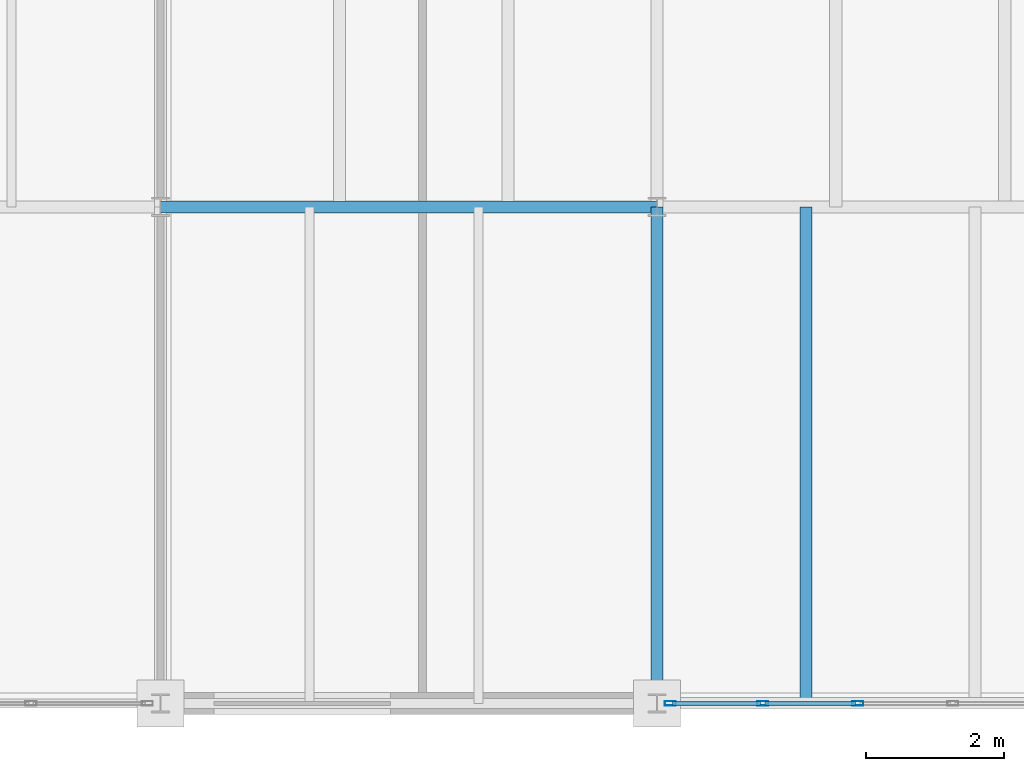
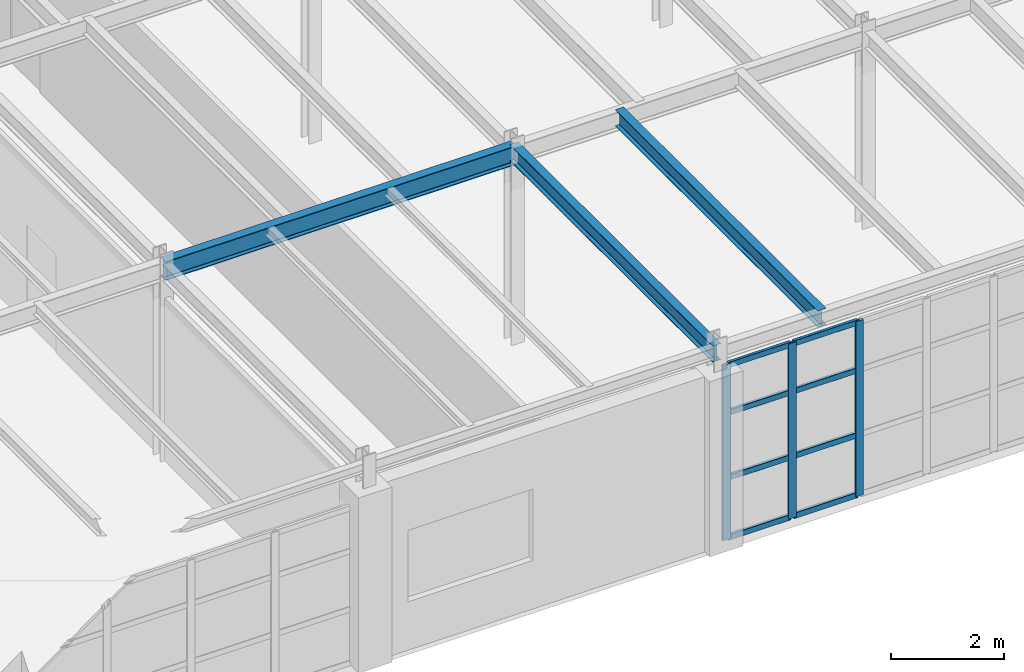
# One storey, part 16 of 101: 11 members, 3 beams, 1 element without a shape of its own.
"""IFC4 building model written with IfcOpenShell, lengths in metres."""

import ifcopenshell
import ifcopenshell.guid

model = None  # the IFC model being written
_history = None  # IfcOwnerHistory: only IFC2X3 demands one
_inside = {}  # id of a spatial element -> (the spatial element, [elements in it])
_under = {}  # id of a project, library or spatial element -> (it, [spatial elements below it])
_declared = {}  # id of a project -> (the project, [libraries it declares])
_typed = {}  # id of a type object -> (the type object, [elements of that type])
_made_of = {}  # id of a material, layer set ... -> (it, [elements and type objects made of it])


def new_model(schema):
    """Start an empty IFC model of exactly this schema.

    Asked for "IFC4X3", IfcOpenShell would pick the latest addendum, in which some entities
    have other attributes; the version numbers below select the first issue.
    IFC2X3 requires an IfcOwnerHistory on every rooted entity: one is made here for all.
    """
    global model, _history
    if schema == "IFC4X3":
        model = ifcopenshell.file(schema_version=(4, 3, 0, 0))
    else:
        model = ifcopenshell.file(schema=schema)
    _inside.clear()
    _under.clear()
    _declared.clear()
    _typed.clear()
    _made_of.clear()
    _history = None
    if model.schema == "IFC2X3":
        org = make("IfcOrganization", Name="unknown")
        user = make(
            "IfcPersonAndOrganization",
            ThePerson=make("IfcPerson", FamilyName="unknown"),
            TheOrganization=org,
        )
        app = make(
            "IfcApplication",
            ApplicationDeveloper=org,
            Version="unknown",
            ApplicationFullName="unknown",
            ApplicationIdentifier="unknown",
        )
        _history = make(
            "IfcOwnerHistory",
            OwningUser=user,
            OwningApplication=app,
            ChangeAction="ADDED",
            CreationDate=0,
        )
    return model


def make(cls, **values):
    """One entity of the class cls with the attributes given. An attribute that is None is left unset."""
    return model.create_entity(
        cls, **{name: value for name, value in values.items() if value is not None}
    )


def rooted(cls, **values):
    """An entity with a GlobalId (a new one), such as an element, a storey or a relation."""
    return make(cls, GlobalId=ifcopenshell.guid.new(), OwnerHistory=_history, **values)


def si_unit(unit_type, name, prefix=None):
    """IfcSIUnit, for example si_unit("LENGTHUNIT", "METRE", prefix="MILLI")."""
    return make("IfcSIUnit", UnitType=unit_type, Prefix=prefix, Name=name)


def assignment(units):
    """IfcUnitAssignment: the units of a project."""
    return None if units is None else make("IfcUnitAssignment", Units=units)


def point(xyz):
    """IfcCartesianPoint."""
    return None if xyz is None else make("IfcCartesianPoint", Coordinates=xyz)


def direction(xyz):
    """IfcDirection."""
    return None if xyz is None else make("IfcDirection", DirectionRatios=xyz)


def frame(location, z_axis=None, x_axis=None):
    """IfcAxis2Placement3D, a coordinate frame: its origin and axes. An axis left out is left unset."""
    return make(
        "IfcAxis2Placement3D",
        Location=point(location),
        Axis=direction(z_axis),
        RefDirection=direction(x_axis),
    )


def frame_2d(location, x_axis=None):
    """IfcAxis2Placement2D, a coordinate frame in the plane: its origin and x axis."""
    return make(
        "IfcAxis2Placement2D", Location=point(location), RefDirection=direction(x_axis)
    )


def origin():
    """The frame at (0, 0, 0) with its axes left unset."""
    return frame((0.0, 0.0, 0.0))


def origin_2d():
    """The frame at (0, 0) in the plane with its x axis left unset."""
    return frame_2d((0.0, 0.0))


def place(relative_to, where):
    """IfcLocalPlacement: puts the frame where relative to a parent placement (None: the world)."""
    return make(
        "IfcLocalPlacement", PlacementRelTo=relative_to, RelativePlacement=where
    )


def context(
    kind, dimensions, precision=None, world=None, true_north=None, identifier=None
):
    """IfcGeometricRepresentationContext, for example the 3D "Model" context."""
    return make(
        "IfcGeometricRepresentationContext",
        ContextIdentifier=identifier,
        ContextType=kind,
        CoordinateSpaceDimension=dimensions,
        Precision=precision,
        WorldCoordinateSystem=world,
        TrueNorth=true_north,
    )


def subcontext(parent, identifier, kind, view, scale=None):
    """IfcGeometricRepresentationSubContext, for example "Body" below "Model"."""
    return make(
        "IfcGeometricRepresentationSubContext",
        ContextIdentifier=identifier,
        ContextType=kind,
        ParentContext=parent,
        TargetScale=scale,
        TargetView=view,
    )


def project(units=None, contexts=None):
    """IfcProject with its units and contexts."""
    return rooted(
        "IfcProject",
        Name="project",
        RepresentationContexts=contexts,
        UnitsInContext=assignment(units),
    )


def spatial(cls, under=None, at=None, **own):
    """A site, building, storey or space (cls), placed at a placement, below another one or the project."""
    s = rooted(cls, ObjectPlacement=at, **own)
    if under is not None:
        _under.setdefault(under.id(), (under, []))[1].append(s)
    return s


def profile(cls, at=None, kind="AREA", **sizes):
    """A parametric profile (cls). Its sizes go by their IFC names, for example OverallWidth=200.0."""
    return make(cls, ProfileType=kind, Position=at, **sizes)


def hollow_rectangle(**sizes):
    """IfcRectangleHollowProfileDef."""
    return profile("IfcRectangleHollowProfileDef", **sizes)


def i_section(**sizes):
    """IfcIShapeProfileDef."""
    return profile("IfcIShapeProfileDef", **sizes)


def extrude(swept, where, along, depth):
    """IfcExtrudedAreaSolid: the profile swept, set in the frame where, extruded along a direction by depth."""
    return make(
        "IfcExtrudedAreaSolid",
        SweptArea=swept,
        Position=where,
        ExtrudedDirection=direction(along),
        Depth=depth,
    )


def shape(context_of_items, identifier, shape_type, items):
    """IfcShapeRepresentation: the items that make up one representation, for example the "Body"."""
    return make(
        "IfcShapeRepresentation",
        ContextOfItems=context_of_items,
        RepresentationIdentifier=identifier,
        RepresentationType=shape_type,
        Items=items,
    )


def material(Name=None, Category=None):
    """IfcMaterial."""
    return make("IfcMaterial", Name=Name, Category=Category)


def layer(
    of_material, thickness, ventilated=None, Name=None, Category=None, Priority=None
):
    """IfcMaterialLayer: one layer of a wall or slab, of a material (None: an air gap)."""
    return make(
        "IfcMaterialLayer",
        Material=of_material,
        LayerThickness=thickness,
        IsVentilated=ventilated,
        Name=Name,
        Category=Category,
        Priority=Priority,
    )


def layer_set(layers, Name=None):
    """IfcMaterialLayerSet."""
    return make("IfcMaterialLayerSet", MaterialLayers=layers, LayerSetName=Name)


def material_profile(
    of_material, cross_section, Name=None, Category=None, Priority=None
):
    """IfcMaterialProfile: a cross section and its material."""
    return make(
        "IfcMaterialProfile",
        Name=Name,
        Material=of_material,
        Profile=cross_section,
        Priority=Priority,
        Category=Category,
    )


def profile_set(profiles, Name=None, composite=None):
    """IfcMaterialProfileSet."""
    return make(
        "IfcMaterialProfileSet",
        Name=Name,
        MaterialProfiles=profiles,
        CompositeProfile=composite,
    )


def made_of(thing, what):
    """Note that an element or type object is made of a material, layer set ...; save() writes the relation."""
    if what is not None:
        _made_of.setdefault(what.id(), (what, []))[1].append(thing)
    return thing


def type_object(cls, material=None, **own):
    """A type object (cls), such as IfcWallType, which elements share."""
    return made_of(rooted(cls, **own), material)


def element(
    cls,
    number,
    at=None,
    inside=None,
    cuts=None,
    type_object=None,
    material=None,
    context=None,
    identifier="Body",
    shape_type=None,
    held_by="IfcProductDefinitionShape",
    body=None,
    shapes=None,
    **own,
):
    """One element of the class cls, such as IfcWall. Its Tag is "e" and its number.

    at: its placement. inside: the storey or other place that contains it. cuts: it is an
    opening in that element (IfcRelVoidsElement). A single representation is given by context,
    identifier, shape_type and body (its items); several are given by shapes. held_by: the class
    of the entity that holds the representations. save() writes the other relations.
    """
    e = rooted(cls, Tag="e%d" % number, ObjectPlacement=at, **own)
    if body is not None:
        shapes = [shape(context, identifier, shape_type, body)]
    if shapes is not None:
        e.Representation = make(held_by, Representations=shapes)
    if inside is not None:
        _inside.setdefault(inside.id(), (inside, []))[1].append(e)
    if cuts is not None:
        rooted(
            "IfcRelVoidsElement", RelatingBuildingElement=cuts, RelatedOpeningElement=e
        )
    if type_object is not None:
        _typed.setdefault(type_object.id(), (type_object, []))[1].append(e)
    return made_of(e, material)


def aggregate(whole, parts):
    """IfcRelAggregates: a whole, such as a stair, and the parts it consists of."""
    return rooted("IfcRelAggregates", RelatingObject=whole, RelatedObjects=parts)


def save(model, path):
    """Write the relations noted so far, then the file.

    IfcRelAggregates (storeys below a building ...), IfcRelContainedInSpatialStructure (elements
    in a storey), IfcRelDefinesByType, IfcRelAssociatesMaterial and IfcRelDeclares: one each for
    every whole, place, type object, material and project.
    """
    for whole, parts in _under.values():
        aggregate(whole, parts)
    for where, things in _inside.values():
        rooted(
            "IfcRelContainedInSpatialStructure",
            RelatedElements=things,
            RelatingStructure=where,
        )
    for kind, things in _typed.values():
        rooted("IfcRelDefinesByType", RelatedObjects=things, RelatingType=kind)
    for what, things in _made_of.values():
        rooted("IfcRelAssociatesMaterial", RelatedObjects=things, RelatingMaterial=what)
    for by, libraries in _declared.values():
        rooted("IfcRelDeclares", RelatingContext=by, RelatedDefinitions=libraries)
    model.write(path)


model = new_model("IFC4")

# Units and contexts
model_context = context("Model", 3, precision=1e-05, world=origin(), true_north=direction((0.0, 1.0)))
body_context = subcontext(model_context, "Body", "Model", "MODEL_VIEW")
ifc_project = project(units=[si_unit("LENGTHUNIT", "METRE"), si_unit("AREAUNIT", "SQUARE_METRE"), si_unit("VOLUMEUNIT", "CUBIC_METRE"), si_unit("PLANEANGLEUNIT", "RADIAN"), si_unit("MASSUNIT", "GRAM", prefix="KILO")], contexts=[model_context])

# Site, building, storey
site_placement = place(None, origin())
site = spatial("IfcSite", under=ifc_project, at=site_placement, CompositionType="ELEMENT")
building_placement = place(site_placement, origin())
building = spatial("IfcBuilding", under=site, at=building_placement, Name="Kemerveld Promenade Tramway Depot", CompositionType="ELEMENT")
storey_placement = place(building_placement, frame((0.0, 0.0, 9.89990234375)))
storey = spatial("IfcBuildingStorey", under=building, at=storey_placement, Name="L02", CompositionType="ELEMENT", Elevation=9.89990234375)

# Beams
ifc_material_1 = material(Name="Steel S355", Category="steel")
ifc_material_profile_1 = material_profile(ifc_material_1, i_section(OverallWidth=0.1787109375, OverallDepth=0.409423828125, WebThickness=0.0087890625, FlangeThickness=0.014404296875, FilletRadius=0.01025390625, at=origin_2d()), Name="406x178x67 UB")
ifc_profile_set_1 = profile_set([ifc_material_profile_1], Name="Steel S355")
beam_type_1 = type_object("IfcBeamType", Name="BM-G07", PredefinedType="BEAM", material=ifc_profile_set_1)
beam_1_placement = place(storey_placement, frame((14.39990234375, 7.199951171875, 4.080322265625), z_axis=(1.0, 0.0, 0.0), x_axis=(0.0, 1.0, 0.0)))
element("IfcBeam", 1, at=beam_1_placement, inside=storey, type_object=beam_type_1, Name="BMX-L02-03-04-B", PredefinedType="BEAM", context=body_context, shape_type="SweptSolid", body=[
    extrude(i_section(OverallWidth=0.1787109375, OverallDepth=0.409423828125, WebThickness=0.0087890625, FlangeThickness=0.014404296875, FilletRadius=0.01025390625, at=origin_2d()), origin(), (0.0, 0.0, 1.0), 7.2001953125),
])
ifc_material_profile_2 = material_profile(ifc_material_1, i_section(OverallWidth=0.172119140625, OverallDepth=0.35791015625, WebThickness=0.008056640625, FlangeThickness=0.012939453125, FilletRadius=0.01025390625, at=origin_2d()), Name="356x171x57 UB")
ifc_profile_set_2 = profile_set([ifc_material_profile_2], Name="Steel S355")
beam_type_2 = type_object("IfcBeamType", Name="BM-G08", PredefinedType="BEAM", material=ifc_profile_set_2)
beam_2_placement = place(storey_placement, frame((21.60009765625, 0.0, 4.106201171875), z_axis=(0.0, 1.0, 0.0), x_axis=(-1.0, 0.0, 0.0)))
element("IfcBeam", 2, at=beam_2_placement, inside=storey, type_object=beam_type_2, Name="BMY-L02-04-A-B", PredefinedType="BEAM", context=body_context, shape_type="SweptSolid", body=[
    extrude(i_section(OverallWidth=0.172119140625, OverallDepth=0.35791015625, WebThickness=0.008056640625, FlangeThickness=0.012939453125, FilletRadius=0.01025390625, at=origin_2d()), origin(), (0.0, 0.0, 1.0), 7.199951171875),
])
ifc_material_profile_3 = material_profile(ifc_material_1, i_section(OverallWidth=0.172119140625, OverallDepth=0.35791015625, WebThickness=0.008056640625, FlangeThickness=0.012939453125, FilletRadius=0.01025390625, at=origin_2d()), Name="356x171x57 UB")
ifc_profile_set_3 = profile_set([ifc_material_profile_3], Name="Steel S355")
beam_type_3 = type_object("IfcBeamType", Name="BM-J04", PredefinedType="JOIST", material=ifc_profile_set_3)
beam_3_placement = place(storey_placement, frame((23.760009765625, 0.0, 4.106201171875), z_axis=(0.0, 1.0, 0.0), x_axis=(-1.0, 0.0, 0.0)))
element("IfcBeam", 3, at=beam_3_placement, inside=storey, type_object=beam_type_3, Name="JST-L02-04-A-1", PredefinedType="JOIST", context=body_context, shape_type="SweptSolid", body=[
    extrude(i_section(OverallWidth=0.172119140625, OverallDepth=0.35791015625, WebThickness=0.008056640625, FlangeThickness=0.012939453125, FilletRadius=0.01025390625, at=origin_2d()), origin(), (0.0, 0.0, 1.0), 7.199951171875),
])

# Curtain wall, members
ifc_material_2 = material(Name="Bronze anodised aluminium and solar glass", Category="aluminium")
ifc_layer = layer(ifc_material_2, 0.159912109375)
ifc_layer_set = layer_set([ifc_layer], Name="CW-SYS-07")
curtain_wall_type = type_object("IfcCurtainWallType", Name="CW-SYS-07", PredefinedType="USERDEFINED", material=ifc_layer_set)
curtain_wall_placement = place(storey_placement, origin())
curtain_wall = element("IfcCurtainWall", 4, at=curtain_wall_placement, inside=storey, type_object=curtain_wall_type, Name="CW-L02-V5S-04", ObjectType="GLAZED_CURTAIN_WALL", PredefinedType="USERDEFINED")
ifc_material_3 = material(Name="Bronze anodised aluminium", Category="aluminium")
ifc_material_profile_4 = material_profile(ifc_material_3, hollow_rectangle(XDim=0.06494140625, YDim=0.159912109375, WallThickness=0.00390625, InnerFilletRadius=0.001953125, OuterFilletRadius=0.00390625, at=origin_2d()), Name="CW-MUL-160x65")
ifc_profile_set_4 = profile_set([ifc_material_profile_4], Name="Bronze anodised aluminium")
member_type_1 = type_object("IfcMemberType", Name="CW-MUL-A", PredefinedType="MULLION", material=ifc_profile_set_4)
member_1_placement = place(storey_placement, frame((24.51171875, 0.0, 0.0), z_axis=(0.0, 0.0, 1.0), x_axis=(0.0, -1.0, 0.0)))
member_1 = element("IfcMember", 5, at=member_1_placement, type_object=member_type_1, Name="CW07 mullion 4", PredefinedType="MULLION", context=body_context, shape_type="SweptSolid", body=[
    extrude(hollow_rectangle(XDim=0.06494140625, YDim=0.159912109375, WallThickness=0.00390625, InnerFilletRadius=0.001953125, OuterFilletRadius=0.00390625, at=origin_2d()), origin(), (0.0, 0.0, 1.0), 3.800048828125),
])
member_2_placement = place(storey_placement, frame((23.135009765625, 0.0, 0.0), z_axis=(0.0, 0.0, 1.0), x_axis=(0.0, -1.0, 0.0)))
member_2 = element("IfcMember", 6, at=member_2_placement, type_object=member_type_1, Name="CW07 mullion 5", PredefinedType="MULLION", context=body_context, shape_type="SweptSolid", body=[
    extrude(hollow_rectangle(XDim=0.06494140625, YDim=0.159912109375, WallThickness=0.00390625, InnerFilletRadius=0.001953125, OuterFilletRadius=0.00390625, at=origin_2d()), origin(), (0.0, 0.0, 1.0), 3.800048828125),
])
member_3_placement = place(storey_placement, frame((21.790771484375, 0.0, 0.0), z_axis=(0.0, 0.0, 1.0), x_axis=(0.0, -1.0, 0.0)))
member_3 = element("IfcMember", 7, at=member_3_placement, type_object=member_type_1, Name="CW07 mullion 6", PredefinedType="MULLION", context=body_context, shape_type="SweptSolid", body=[
    extrude(hollow_rectangle(XDim=0.06494140625, YDim=0.159912109375, WallThickness=0.00390625, InnerFilletRadius=0.001953125, OuterFilletRadius=0.00390625, at=origin_2d()), origin(), (0.0, 0.0, 1.0), 3.800048828125),
])
ifc_material_profile_5 = material_profile(ifc_material_3, hollow_rectangle(XDim=0.06005859375, YDim=0.1201171875, WallThickness=0.00390625, InnerFilletRadius=0.001953125, OuterFilletRadius=0.00390625, at=origin_2d()), Name="CW-TRN-120x60")
ifc_profile_set_5 = profile_set([ifc_material_profile_5], Name="Bronze anodised aluminium")
member_type_2 = type_object("IfcMemberType", Name="CW-TRN-A", PredefinedType="USERDEFINED", material=ifc_profile_set_5)
member_4_placement = place(storey_placement, frame((24.479248046875, 0.0, 0.030029296875), z_axis=(-1.0, 0.0, 0.0), x_axis=(0.0, -1.0, 0.0)))
member_4 = element("IfcMember", 8, at=member_4_placement, type_object=member_type_2, Name="CW07 transom 4.1", ObjectType="TRANSOM", PredefinedType="USERDEFINED", context=body_context, shape_type="SweptSolid", body=[
    extrude(hollow_rectangle(XDim=0.06005859375, YDim=0.1201171875, WallThickness=0.00390625, InnerFilletRadius=0.001953125, OuterFilletRadius=0.00390625, at=origin_2d()), origin(), (0.0, 0.0, 1.0), 1.311767578125),
])
member_5_placement = place(storey_placement, frame((24.479248046875, 0.0, 1.330078125), z_axis=(-1.0, 0.0, 0.0), x_axis=(0.0, -1.0, 0.0)))
member_5 = element("IfcMember", 9, at=member_5_placement, type_object=member_type_2, Name="CW07 transom 4.2", ObjectType="TRANSOM", PredefinedType="USERDEFINED", context=body_context, shape_type="SweptSolid", body=[
    extrude(hollow_rectangle(XDim=0.06005859375, YDim=0.1201171875, WallThickness=0.00390625, InnerFilletRadius=0.001953125, OuterFilletRadius=0.00390625, at=origin_2d()), origin(), (0.0, 0.0, 1.0), 1.311767578125),
])
member_6_placement = place(storey_placement, frame((24.479248046875, 0.0, 2.736083984375), z_axis=(-1.0, 0.0, 0.0), x_axis=(0.0, -1.0, 0.0)))
member_6 = element("IfcMember", 10, at=member_6_placement, type_object=member_type_2, Name="CW07 transom 4.3", ObjectType="TRANSOM", PredefinedType="USERDEFINED", context=body_context, shape_type="SweptSolid", body=[
    extrude(hollow_rectangle(XDim=0.06005859375, YDim=0.1201171875, WallThickness=0.00390625, InnerFilletRadius=0.001953125, OuterFilletRadius=0.00390625, at=origin_2d()), origin(), (0.0, 0.0, 1.0), 1.311767578125),
])
member_7_placement = place(storey_placement, frame((24.479248046875, 0.0, 3.77001953125), z_axis=(-1.0, 0.0, 0.0), x_axis=(0.0, -1.0, 0.0)))
member_7 = element("IfcMember", 11, at=member_7_placement, type_object=member_type_2, Name="CW07 transom 4.4", ObjectType="TRANSOM", PredefinedType="USERDEFINED", context=body_context, shape_type="SweptSolid", body=[
    extrude(hollow_rectangle(XDim=0.06005859375, YDim=0.1201171875, WallThickness=0.00390625, InnerFilletRadius=0.001953125, OuterFilletRadius=0.00390625, at=origin_2d()), origin(), (0.0, 0.0, 1.0), 1.311767578125),
])
member_8_placement = place(storey_placement, frame((23.1025390625, 0.0, 0.030029296875), z_axis=(-1.0, 0.0, 0.0), x_axis=(0.0, -1.0, 0.0)))
member_8 = element("IfcMember", 12, at=member_8_placement, type_object=member_type_2, Name="CW07 transom 5.1", ObjectType="TRANSOM", PredefinedType="USERDEFINED", context=body_context, shape_type="SweptSolid", body=[
    extrude(hollow_rectangle(XDim=0.06005859375, YDim=0.1201171875, WallThickness=0.00390625, InnerFilletRadius=0.001953125, OuterFilletRadius=0.00390625, at=origin_2d()), origin(), (0.0, 0.0, 1.0), 1.279296875),
])
member_9_placement = place(storey_placement, frame((23.1025390625, 0.0, 1.330078125), z_axis=(-1.0, 0.0, 0.0), x_axis=(0.0, -1.0, 0.0)))
member_9 = element("IfcMember", 13, at=member_9_placement, type_object=member_type_2, Name="CW07 transom 5.2", ObjectType="TRANSOM", PredefinedType="USERDEFINED", context=body_context, shape_type="SweptSolid", body=[
    extrude(hollow_rectangle(XDim=0.06005859375, YDim=0.1201171875, WallThickness=0.00390625, InnerFilletRadius=0.001953125, OuterFilletRadius=0.00390625, at=origin_2d()), origin(), (0.0, 0.0, 1.0), 1.279296875),
])
member_10_placement = place(storey_placement, frame((23.1025390625, 0.0, 2.736083984375), z_axis=(-1.0, 0.0, 0.0), x_axis=(0.0, -1.0, 0.0)))
member_10 = element("IfcMember", 14, at=member_10_placement, type_object=member_type_2, Name="CW07 transom 5.3", ObjectType="TRANSOM", PredefinedType="USERDEFINED", context=body_context, shape_type="SweptSolid", body=[
    extrude(hollow_rectangle(XDim=0.06005859375, YDim=0.1201171875, WallThickness=0.00390625, InnerFilletRadius=0.001953125, OuterFilletRadius=0.00390625, at=origin_2d()), origin(), (0.0, 0.0, 1.0), 1.279296875),
])
member_11_placement = place(storey_placement, frame((23.1025390625, 0.0, 3.77001953125), z_axis=(-1.0, 0.0, 0.0), x_axis=(0.0, -1.0, 0.0)))
member_11 = element("IfcMember", 15, at=member_11_placement, type_object=member_type_2, Name="CW07 transom 5.4", ObjectType="TRANSOM", PredefinedType="USERDEFINED", context=body_context, shape_type="SweptSolid", body=[
    extrude(hollow_rectangle(XDim=0.06005859375, YDim=0.1201171875, WallThickness=0.00390625, InnerFilletRadius=0.001953125, OuterFilletRadius=0.00390625, at=origin_2d()), origin(), (0.0, 0.0, 1.0), 1.279296875),
])
aggregate(curtain_wall, [member_1, member_2, member_3, member_4, member_5, member_6, member_7, member_8, member_9, member_10, member_11])

save(model, "model.ifc")
